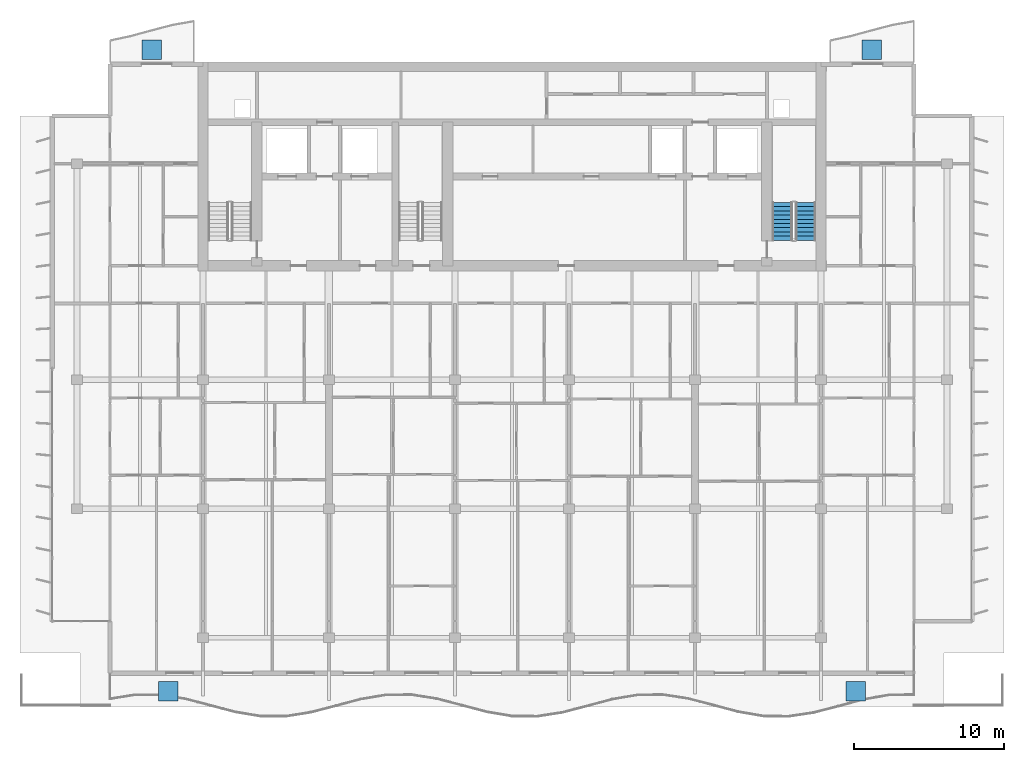
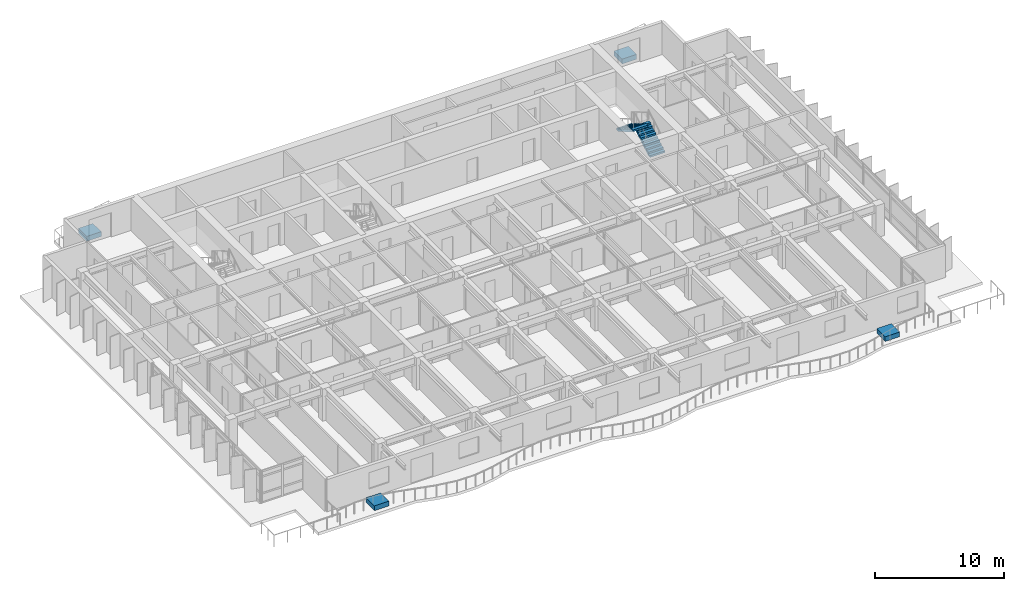
# One storey, part 12 of 17: 4 discrete accessories, 2 stair flights, 1 element without a shape of its own.
"""IFC4 building model written with IfcOpenShell, lengths in metres."""

import ifcopenshell
import ifcopenshell.guid

model = None  # the IFC model being written
_history = None  # IfcOwnerHistory: only IFC2X3 demands one
_inside = {}  # id of a spatial element -> (the spatial element, [elements in it])
_under = {}  # id of a project, library or spatial element -> (it, [spatial elements below it])
_declared = {}  # id of a project -> (the project, [libraries it declares])
_typed = {}  # id of a type object -> (the type object, [elements of that type])
_made_of = {}  # id of a material, layer set ... -> (it, [elements and type objects made of it])


def new_model(schema):
    """Start an empty IFC model of exactly this schema.

    Asked for "IFC4X3", IfcOpenShell would pick the latest addendum, in which some entities
    have other attributes; the version numbers below select the first issue.
    IFC2X3 requires an IfcOwnerHistory on every rooted entity: one is made here for all.
    """
    global model, _history
    if schema == "IFC4X3":
        model = ifcopenshell.file(schema_version=(4, 3, 0, 0))
    else:
        model = ifcopenshell.file(schema=schema)
    _inside.clear()
    _under.clear()
    _declared.clear()
    _typed.clear()
    _made_of.clear()
    _history = None
    if model.schema == "IFC2X3":
        org = make("IfcOrganization", Name="unknown")
        user = make(
            "IfcPersonAndOrganization",
            ThePerson=make("IfcPerson", FamilyName="unknown"),
            TheOrganization=org,
        )
        app = make(
            "IfcApplication",
            ApplicationDeveloper=org,
            Version="unknown",
            ApplicationFullName="unknown",
            ApplicationIdentifier="unknown",
        )
        _history = make(
            "IfcOwnerHistory",
            OwningUser=user,
            OwningApplication=app,
            ChangeAction="ADDED",
            CreationDate=0,
        )
    return model


def make(cls, **values):
    """One entity of the class cls with the attributes given. An attribute that is None is left unset."""
    return model.create_entity(
        cls, **{name: value for name, value in values.items() if value is not None}
    )


def rooted(cls, **values):
    """An entity with a GlobalId (a new one), such as an element, a storey or a relation."""
    return make(cls, GlobalId=ifcopenshell.guid.new(), OwnerHistory=_history, **values)


def si_unit(unit_type, name, prefix=None):
    """IfcSIUnit, for example si_unit("LENGTHUNIT", "METRE", prefix="MILLI")."""
    return make("IfcSIUnit", UnitType=unit_type, Prefix=prefix, Name=name)


def assignment(units):
    """IfcUnitAssignment: the units of a project."""
    return None if units is None else make("IfcUnitAssignment", Units=units)


def point(xyz):
    """IfcCartesianPoint."""
    return None if xyz is None else make("IfcCartesianPoint", Coordinates=xyz)


def direction(xyz):
    """IfcDirection."""
    return None if xyz is None else make("IfcDirection", DirectionRatios=xyz)


def frame(location, z_axis=None, x_axis=None):
    """IfcAxis2Placement3D, a coordinate frame: its origin and axes. An axis left out is left unset."""
    return make(
        "IfcAxis2Placement3D",
        Location=point(location),
        Axis=direction(z_axis),
        RefDirection=direction(x_axis),
    )


def frame_2d(location, x_axis=None):
    """IfcAxis2Placement2D, a coordinate frame in the plane: its origin and x axis."""
    return make(
        "IfcAxis2Placement2D", Location=point(location), RefDirection=direction(x_axis)
    )


def origin():
    """The frame at (0, 0, 0) with its axes left unset."""
    return frame((0.0, 0.0, 0.0))


def origin_2d():
    """The frame at (0, 0) in the plane with its x axis left unset."""
    return frame_2d((0.0, 0.0))


def place(relative_to, where):
    """IfcLocalPlacement: puts the frame where relative to a parent placement (None: the world)."""
    return make(
        "IfcLocalPlacement", PlacementRelTo=relative_to, RelativePlacement=where
    )


def context(
    kind, dimensions, precision=None, world=None, true_north=None, identifier=None
):
    """IfcGeometricRepresentationContext, for example the 3D "Model" context."""
    return make(
        "IfcGeometricRepresentationContext",
        ContextIdentifier=identifier,
        ContextType=kind,
        CoordinateSpaceDimension=dimensions,
        Precision=precision,
        WorldCoordinateSystem=world,
        TrueNorth=true_north,
    )


def subcontext(parent, identifier, kind, view, scale=None):
    """IfcGeometricRepresentationSubContext, for example "Body" below "Model"."""
    return make(
        "IfcGeometricRepresentationSubContext",
        ContextIdentifier=identifier,
        ContextType=kind,
        ParentContext=parent,
        TargetScale=scale,
        TargetView=view,
    )


def project(units=None, contexts=None):
    """IfcProject with its units and contexts."""
    return rooted(
        "IfcProject",
        Name="project",
        RepresentationContexts=contexts,
        UnitsInContext=assignment(units),
    )


def spatial(cls, under=None, at=None, **own):
    """A site, building, storey or space (cls), placed at a placement, below another one or the project."""
    s = rooted(cls, ObjectPlacement=at, **own)
    if under is not None:
        _under.setdefault(under.id(), (under, []))[1].append(s)
    return s


def polyline(points):
    """IfcPolyline through the points."""
    return make("IfcPolyline", Points=[point(p) for p in points])


def profile(cls, at=None, kind="AREA", **sizes):
    """A parametric profile (cls). Its sizes go by their IFC names, for example OverallWidth=200.0."""
    return make(cls, ProfileType=kind, Position=at, **sizes)


def rectangle(**sizes):
    """IfcRectangleProfileDef."""
    return profile("IfcRectangleProfileDef", **sizes)


def outline(outer, holes=None, kind="AREA"):
    """IfcArbitraryClosedProfileDef: a profile drawn as a closed curve; with holes, ...WithVoids."""
    if holes is None:
        return make("IfcArbitraryClosedProfileDef", ProfileType=kind, OuterCurve=outer)
    return make(
        "IfcArbitraryProfileDefWithVoids",
        ProfileType=kind,
        OuterCurve=outer,
        InnerCurves=holes,
    )


def extrude(swept, where, along, depth):
    """IfcExtrudedAreaSolid: the profile swept, set in the frame where, extruded along a direction by depth."""
    return make(
        "IfcExtrudedAreaSolid",
        SweptArea=swept,
        Position=where,
        ExtrudedDirection=direction(along),
        Depth=depth,
    )


def shape(context_of_items, identifier, shape_type, items):
    """IfcShapeRepresentation: the items that make up one representation, for example the "Body"."""
    return make(
        "IfcShapeRepresentation",
        ContextOfItems=context_of_items,
        RepresentationIdentifier=identifier,
        RepresentationType=shape_type,
        Items=items,
    )


def material(Name=None, Category=None):
    """IfcMaterial."""
    return make("IfcMaterial", Name=Name, Category=Category)


def made_of(thing, what):
    """Note that an element or type object is made of a material, layer set ...; save() writes the relation."""
    if what is not None:
        _made_of.setdefault(what.id(), (what, []))[1].append(thing)
    return thing


def type_object(cls, material=None, **own):
    """A type object (cls), such as IfcWallType, which elements share."""
    return made_of(rooted(cls, **own), material)


def element(
    cls,
    number,
    at=None,
    inside=None,
    cuts=None,
    type_object=None,
    material=None,
    context=None,
    identifier="Body",
    shape_type=None,
    held_by="IfcProductDefinitionShape",
    body=None,
    shapes=None,
    **own,
):
    """One element of the class cls, such as IfcWall. Its Tag is "e" and its number.

    at: its placement. inside: the storey or other place that contains it. cuts: it is an
    opening in that element (IfcRelVoidsElement). A single representation is given by context,
    identifier, shape_type and body (its items); several are given by shapes. held_by: the class
    of the entity that holds the representations. save() writes the other relations.
    """
    e = rooted(cls, Tag="e%d" % number, ObjectPlacement=at, **own)
    if body is not None:
        shapes = [shape(context, identifier, shape_type, body)]
    if shapes is not None:
        e.Representation = make(held_by, Representations=shapes)
    if inside is not None:
        _inside.setdefault(inside.id(), (inside, []))[1].append(e)
    if cuts is not None:
        rooted(
            "IfcRelVoidsElement", RelatingBuildingElement=cuts, RelatedOpeningElement=e
        )
    if type_object is not None:
        _typed.setdefault(type_object.id(), (type_object, []))[1].append(e)
    return made_of(e, material)


def aggregate(whole, parts):
    """IfcRelAggregates: a whole, such as a stair, and the parts it consists of."""
    return rooted("IfcRelAggregates", RelatingObject=whole, RelatedObjects=parts)


def save(model, path):
    """Write the relations noted so far, then the file.

    IfcRelAggregates (storeys below a building ...), IfcRelContainedInSpatialStructure (elements
    in a storey), IfcRelDefinesByType, IfcRelAssociatesMaterial and IfcRelDeclares: one each for
    every whole, place, type object, material and project.
    """
    for whole, parts in _under.values():
        aggregate(whole, parts)
    for where, things in _inside.values():
        rooted(
            "IfcRelContainedInSpatialStructure",
            RelatedElements=things,
            RelatingStructure=where,
        )
    for kind, things in _typed.values():
        rooted("IfcRelDefinesByType", RelatedObjects=things, RelatingType=kind)
    for what, things in _made_of.values():
        rooted("IfcRelAssociatesMaterial", RelatedObjects=things, RelatingMaterial=what)
    for by, libraries in _declared.values():
        rooted("IfcRelDeclares", RelatingContext=by, RelatedDefinitions=libraries)
    model.write(path)


model = new_model("IFC4")

# Units and contexts
model_context = context("Model", 3, precision=1e-05, world=origin(), true_north=direction((0.0, 1.0)))
body_context = subcontext(model_context, "Body", "Model", "MODEL_VIEW")
ifc_project = project(units=[si_unit("LENGTHUNIT", "METRE"), si_unit("AREAUNIT", "SQUARE_METRE"), si_unit("VOLUMEUNIT", "CUBIC_METRE"), si_unit("PLANEANGLEUNIT", "RADIAN"), si_unit("MASSUNIT", "GRAM", prefix="KILO")], contexts=[model_context])

# Site, building, storey
site_placement = place(None, origin())
site = spatial("IfcSite", under=ifc_project, at=site_placement, CompositionType="ELEMENT")
building_placement = place(site_placement, origin())
building = spatial("IfcBuilding", under=site, at=building_placement, Name="Caelmar Bay Residences", CompositionType="ELEMENT")
storey_placement = place(building_placement, frame((0.0, 0.0, 226.5)))
storey = spatial("IfcBuildingStorey", under=building, at=storey_placement, Name="L63", CompositionType="ELEMENT", Elevation=226.5)

# Stair, stair flights
ifc_material_1 = material(Name="Concrete f'c 40 MPa (6,000 psi)", Category="concrete")
stair_type = type_object("IfcStairType", Name="ST-TYP-165", PredefinedType="HALF_TURN_STAIR", material=ifc_material_1)
stair_placement = place(storey_placement, origin())
stair = element("IfcStair", 1, at=stair_placement, inside=storey, type_object=stair_type, Name="L63 East Smokeproof Exit Stair ST2", PredefinedType="HALF_TURN_STAIR")
stair_flight_type = type_object("IfcStairFlightType", Name="STF-1350", PredefinedType="STRAIGHT", material=ifc_material_1)
stair_flight_1_placement = place(storey_placement, frame((58.47509765625, 38.699951171875, 0.0), z_axis=(0.0, 0.0, 1.0), x_axis=(0.0, 1.0, 0.0)))
stair_flight_1 = element("IfcStairFlight", 2, at=stair_flight_1_placement, type_object=stair_flight_type, Name="ST2 flight 1", NumberOfRisers=10, NumberOfTreads=9, PredefinedType="STRAIGHT", RiserHeight=0.165, TreadLength=0.28, context=body_context, shape_type="SweptSolid", body=[
    extrude(outline(polyline([(0.0, 0.0), (0.0, 0.1650390625), (0.280029296875, 0.1650390625), (0.280029296875, 0.330078125), (0.56005859375, 0.330078125), (0.56005859375, 0.4951171875), (0.840087890625, 0.4951171875), (0.840087890625, 0.659912109375), (1.1201171875, 0.659912109375), (1.1201171875, 0.824951171875), (1.39990234375, 0.824951171875), (1.39990234375, 0.989990234375), (1.679931640625, 0.989990234375), (1.679931640625, 1.155029296875), (1.9599609375, 1.155029296875), (1.9599609375, 1.320068359375), (2.239990234375, 1.320068359375), (2.239990234375, 1.485107421875), (2.52001953125, 1.485107421875), (2.52001953125, 1.64990234375), (2.52001953125, 1.31103515625), (0.295166015625, 0.0), (0.0, 0.0)])), frame((0.0, 0.675048828125, 0.0), z_axis=(0.0, -1.0, 0.0), x_axis=(1.0, 0.0, 0.0)), (0.0, 0.0, 1.0), 1.35009765625),
])
stair_flight_2_placement = place(storey_placement, frame((56.925048828125, 41.219970703125, 1.64990234375), z_axis=(0.0, 0.0, 1.0), x_axis=(0.0, -1.0, 0.0)))
stair_flight_2 = element("IfcStairFlight", 3, at=stair_flight_2_placement, type_object=stair_flight_type, Name="ST2 flight 2", NumberOfRisers=10, NumberOfTreads=9, PredefinedType="STRAIGHT", RiserHeight=0.165, TreadLength=0.28, context=body_context, shape_type="SweptSolid", body=[
    extrude(outline(polyline([(0.0, 0.0), (0.0, 0.1650390625), (0.280029296875, 0.1650390625), (0.280029296875, 0.330078125), (0.56005859375, 0.330078125), (0.56005859375, 0.4951171875), (0.840087890625, 0.4951171875), (0.840087890625, 0.659912109375), (1.1201171875, 0.659912109375), (1.1201171875, 0.824951171875), (1.39990234375, 0.824951171875), (1.39990234375, 0.989990234375), (1.679931640625, 0.989990234375), (1.679931640625, 1.155029296875), (1.9599609375, 1.155029296875), (1.9599609375, 1.320068359375), (2.239990234375, 1.320068359375), (2.239990234375, 1.485107421875), (2.52001953125, 1.485107421875), (2.52001953125, 1.64990234375), (2.52001953125, 1.31103515625), (0.295166015625, 0.0), (0.0, 0.0)])), frame((0.0, 0.675048828125, 0.0), z_axis=(0.0, -1.0, 0.0), x_axis=(1.0, 0.0, 0.0)), (0.0, 0.0, 1.0), 1.35009765625),
])
aggregate(stair, [stair_flight_1, stair_flight_2])

# Discrete accessories
ifc_material_2 = material(Name="Precast concrete f'c 40 MPa (6,000 psi)", Category="concrete")
discrete_accessory_type = type_object("IfcDiscreteAccessoryType", Name="STR-PLANTER-KERB-450", PredefinedType="USERDEFINED", material=ifc_material_2)
for number, where, z_axis, x_axis, name in (
    (4, (14.89990234375, 51.39990234375, 0.0), (0.0, 0.0, 1.0), (1.0, 0.0, 0.0), "L63 north_west Structural Tree Planter Kerb"),
    (5, (62.89990234375, 51.39990234375, 0.0), (0.0, 0.0, 1.0), (1.0, 0.0, 0.0), "L63 north_east Structural Tree Planter Kerb"),
    (6, (16.0, 8.64990234375, 0.0), (0.0, 0.0, 1.0), (1.0, 0.0, 0.0), "L63 Sky-Terrace Structural Tree Planter Kerb 1"),
    (7, (61.800048828125, 8.64990234375, 0.0), (0.0, 0.0, 1.0), (1.0, 0.0, 0.0), "L63 Sky-Terrace Structural Tree Planter Kerb 2"),
):
    element("IfcDiscreteAccessory", number, at=place(storey_placement, frame(where, z_axis=z_axis, x_axis=x_axis)), inside=storey, type_object=discrete_accessory_type, Name=name, ObjectType="PLANTER", PredefinedType="USERDEFINED", context=body_context, shape_type="SweptSolid", body=[
        extrude(rectangle(XDim=1.300048828125, YDim=1.300048828125, at=origin_2d()), origin(), (0.0, 0.0, 1.0), 0.449951171875),
    ])

save(model, "model.ifc")
